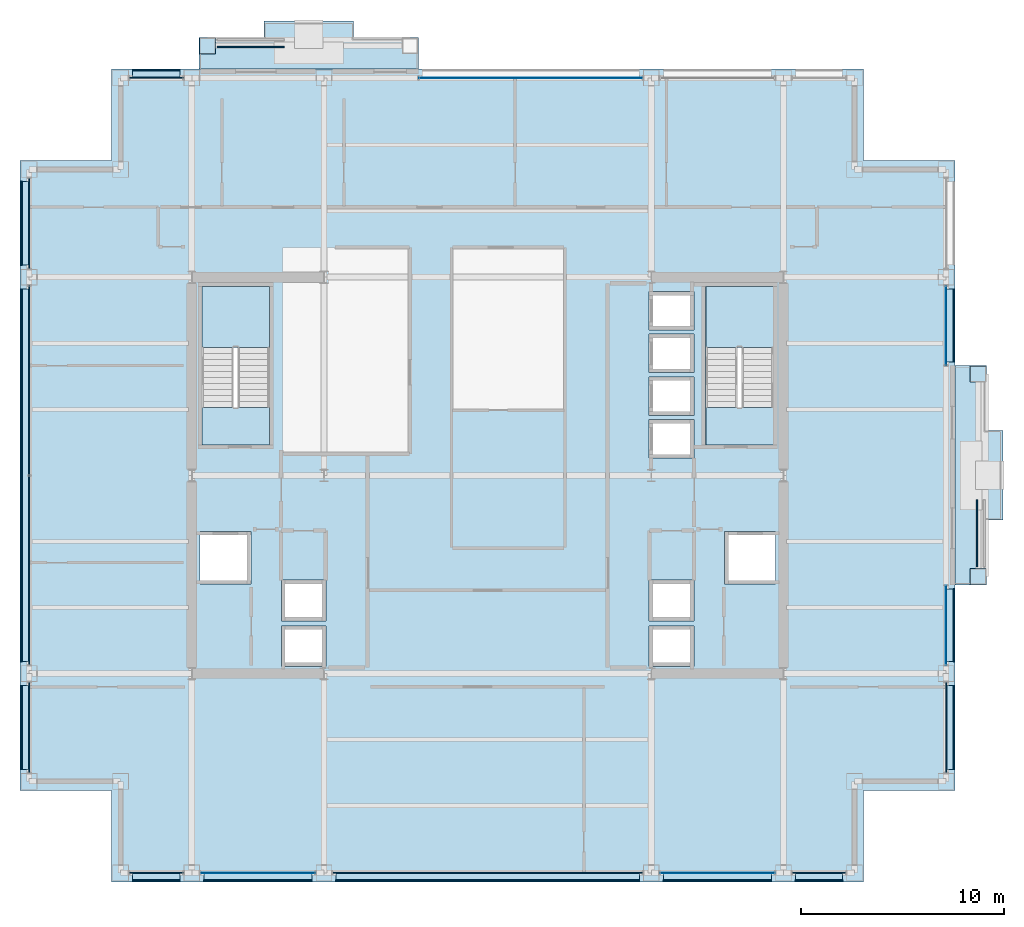
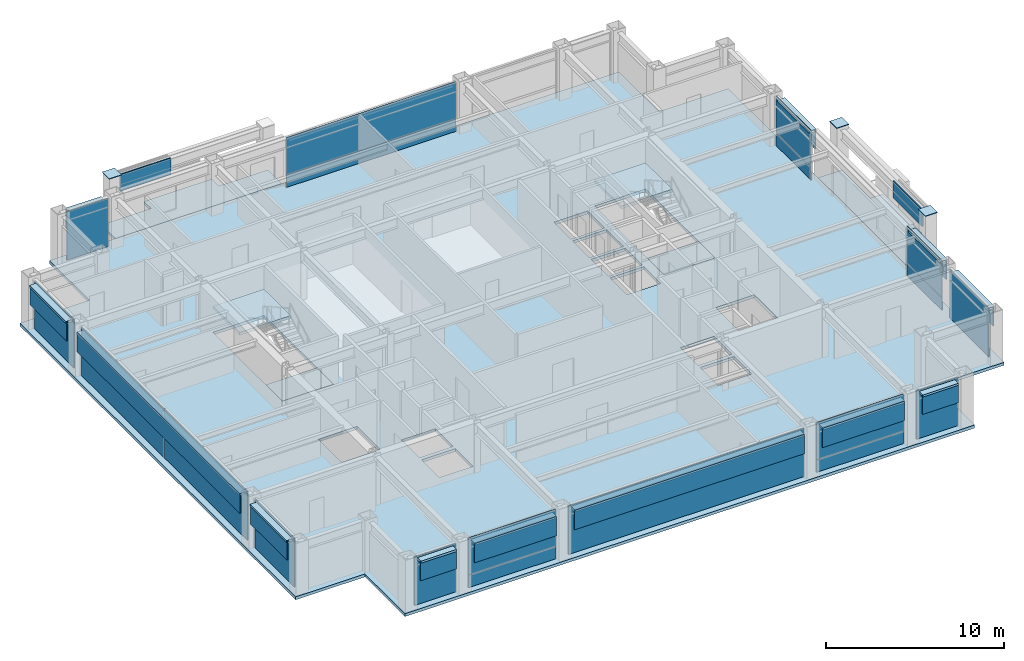
# One storey, part 23 of 29: 48 plates, 7 slabs, 15 elements without a shape of their own.
"""IFC4 building model written with IfcOpenShell, lengths in metres."""

import ifcopenshell
import ifcopenshell.guid

model = None  # the IFC model being written
_history = None  # IfcOwnerHistory: only IFC2X3 demands one
_inside = {}  # id of a spatial element -> (the spatial element, [elements in it])
_under = {}  # id of a project, library or spatial element -> (it, [spatial elements below it])
_declared = {}  # id of a project -> (the project, [libraries it declares])
_typed = {}  # id of a type object -> (the type object, [elements of that type])
_made_of = {}  # id of a material, layer set ... -> (it, [elements and type objects made of it])


def new_model(schema):
    """Start an empty IFC model of exactly this schema.

    Asked for "IFC4X3", IfcOpenShell would pick the latest addendum, in which some entities
    have other attributes; the version numbers below select the first issue.
    IFC2X3 requires an IfcOwnerHistory on every rooted entity: one is made here for all.
    """
    global model, _history
    if schema == "IFC4X3":
        model = ifcopenshell.file(schema_version=(4, 3, 0, 0))
    else:
        model = ifcopenshell.file(schema=schema)
    _inside.clear()
    _under.clear()
    _declared.clear()
    _typed.clear()
    _made_of.clear()
    _history = None
    if model.schema == "IFC2X3":
        org = make("IfcOrganization", Name="unknown")
        user = make(
            "IfcPersonAndOrganization",
            ThePerson=make("IfcPerson", FamilyName="unknown"),
            TheOrganization=org,
        )
        app = make(
            "IfcApplication",
            ApplicationDeveloper=org,
            Version="unknown",
            ApplicationFullName="unknown",
            ApplicationIdentifier="unknown",
        )
        _history = make(
            "IfcOwnerHistory",
            OwningUser=user,
            OwningApplication=app,
            ChangeAction="ADDED",
            CreationDate=0,
        )
    return model


def make(cls, **values):
    """One entity of the class cls with the attributes given. An attribute that is None is left unset."""
    return model.create_entity(
        cls, **{name: value for name, value in values.items() if value is not None}
    )


def rooted(cls, **values):
    """An entity with a GlobalId (a new one), such as an element, a storey or a relation."""
    return make(cls, GlobalId=ifcopenshell.guid.new(), OwnerHistory=_history, **values)


def si_unit(unit_type, name, prefix=None):
    """IfcSIUnit, for example si_unit("LENGTHUNIT", "METRE", prefix="MILLI")."""
    return make("IfcSIUnit", UnitType=unit_type, Prefix=prefix, Name=name)


def assignment(units):
    """IfcUnitAssignment: the units of a project."""
    return None if units is None else make("IfcUnitAssignment", Units=units)


def point(xyz):
    """IfcCartesianPoint."""
    return None if xyz is None else make("IfcCartesianPoint", Coordinates=xyz)


def direction(xyz):
    """IfcDirection."""
    return None if xyz is None else make("IfcDirection", DirectionRatios=xyz)


def frame(location, z_axis=None, x_axis=None):
    """IfcAxis2Placement3D, a coordinate frame: its origin and axes. An axis left out is left unset."""
    return make(
        "IfcAxis2Placement3D",
        Location=point(location),
        Axis=direction(z_axis),
        RefDirection=direction(x_axis),
    )


def frame_2d(location, x_axis=None):
    """IfcAxis2Placement2D, a coordinate frame in the plane: its origin and x axis."""
    return make(
        "IfcAxis2Placement2D", Location=point(location), RefDirection=direction(x_axis)
    )


def origin():
    """The frame at (0, 0, 0) with its axes left unset."""
    return frame((0.0, 0.0, 0.0))


def origin_2d():
    """The frame at (0, 0) in the plane with its x axis left unset."""
    return frame_2d((0.0, 0.0))


def place(relative_to, where):
    """IfcLocalPlacement: puts the frame where relative to a parent placement (None: the world)."""
    return make(
        "IfcLocalPlacement", PlacementRelTo=relative_to, RelativePlacement=where
    )


def context(
    kind, dimensions, precision=None, world=None, true_north=None, identifier=None
):
    """IfcGeometricRepresentationContext, for example the 3D "Model" context."""
    return make(
        "IfcGeometricRepresentationContext",
        ContextIdentifier=identifier,
        ContextType=kind,
        CoordinateSpaceDimension=dimensions,
        Precision=precision,
        WorldCoordinateSystem=world,
        TrueNorth=true_north,
    )


def subcontext(parent, identifier, kind, view, scale=None):
    """IfcGeometricRepresentationSubContext, for example "Body" below "Model"."""
    return make(
        "IfcGeometricRepresentationSubContext",
        ContextIdentifier=identifier,
        ContextType=kind,
        ParentContext=parent,
        TargetScale=scale,
        TargetView=view,
    )


def project(units=None, contexts=None):
    """IfcProject with its units and contexts."""
    return rooted(
        "IfcProject",
        Name="project",
        RepresentationContexts=contexts,
        UnitsInContext=assignment(units),
    )


def spatial(cls, under=None, at=None, **own):
    """A site, building, storey or space (cls), placed at a placement, below another one or the project."""
    s = rooted(cls, ObjectPlacement=at, **own)
    if under is not None:
        _under.setdefault(under.id(), (under, []))[1].append(s)
    return s


def polyline(points):
    """IfcPolyline through the points."""
    return make("IfcPolyline", Points=[point(p) for p in points])


def profile(cls, at=None, kind="AREA", **sizes):
    """A parametric profile (cls). Its sizes go by their IFC names, for example OverallWidth=200.0."""
    return make(cls, ProfileType=kind, Position=at, **sizes)


def rectangle(**sizes):
    """IfcRectangleProfileDef."""
    return profile("IfcRectangleProfileDef", **sizes)


def outline(outer, holes=None, kind="AREA"):
    """IfcArbitraryClosedProfileDef: a profile drawn as a closed curve; with holes, ...WithVoids."""
    if holes is None:
        return make("IfcArbitraryClosedProfileDef", ProfileType=kind, OuterCurve=outer)
    return make(
        "IfcArbitraryProfileDefWithVoids",
        ProfileType=kind,
        OuterCurve=outer,
        InnerCurves=holes,
    )


def extrude(swept, where, along, depth):
    """IfcExtrudedAreaSolid: the profile swept, set in the frame where, extruded along a direction by depth."""
    return make(
        "IfcExtrudedAreaSolid",
        SweptArea=swept,
        Position=where,
        ExtrudedDirection=direction(along),
        Depth=depth,
    )


def shape(context_of_items, identifier, shape_type, items):
    """IfcShapeRepresentation: the items that make up one representation, for example the "Body"."""
    return make(
        "IfcShapeRepresentation",
        ContextOfItems=context_of_items,
        RepresentationIdentifier=identifier,
        RepresentationType=shape_type,
        Items=items,
    )


def material(Name=None, Category=None):
    """IfcMaterial."""
    return make("IfcMaterial", Name=Name, Category=Category)


def layer(
    of_material, thickness, ventilated=None, Name=None, Category=None, Priority=None
):
    """IfcMaterialLayer: one layer of a wall or slab, of a material (None: an air gap)."""
    return make(
        "IfcMaterialLayer",
        Material=of_material,
        LayerThickness=thickness,
        IsVentilated=ventilated,
        Name=Name,
        Category=Category,
        Priority=Priority,
    )


def layer_set(layers, Name=None):
    """IfcMaterialLayerSet."""
    return make("IfcMaterialLayerSet", MaterialLayers=layers, LayerSetName=Name)


def made_of(thing, what):
    """Note that an element or type object is made of a material, layer set ...; save() writes the relation."""
    if what is not None:
        _made_of.setdefault(what.id(), (what, []))[1].append(thing)
    return thing


def type_object(cls, material=None, **own):
    """A type object (cls), such as IfcWallType, which elements share."""
    return made_of(rooted(cls, **own), material)


def element(
    cls,
    number,
    at=None,
    inside=None,
    cuts=None,
    type_object=None,
    material=None,
    context=None,
    identifier="Body",
    shape_type=None,
    held_by="IfcProductDefinitionShape",
    body=None,
    shapes=None,
    **own,
):
    """One element of the class cls, such as IfcWall. Its Tag is "e" and its number.

    at: its placement. inside: the storey or other place that contains it. cuts: it is an
    opening in that element (IfcRelVoidsElement). A single representation is given by context,
    identifier, shape_type and body (its items); several are given by shapes. held_by: the class
    of the entity that holds the representations. save() writes the other relations.
    """
    e = rooted(cls, Tag="e%d" % number, ObjectPlacement=at, **own)
    if body is not None:
        shapes = [shape(context, identifier, shape_type, body)]
    if shapes is not None:
        e.Representation = make(held_by, Representations=shapes)
    if inside is not None:
        _inside.setdefault(inside.id(), (inside, []))[1].append(e)
    if cuts is not None:
        rooted(
            "IfcRelVoidsElement", RelatingBuildingElement=cuts, RelatedOpeningElement=e
        )
    if type_object is not None:
        _typed.setdefault(type_object.id(), (type_object, []))[1].append(e)
    return made_of(e, material)


def aggregate(whole, parts):
    """IfcRelAggregates: a whole, such as a stair, and the parts it consists of."""
    return rooted("IfcRelAggregates", RelatingObject=whole, RelatedObjects=parts)


def save(model, path):
    """Write the relations noted so far, then the file.

    IfcRelAggregates (storeys below a building ...), IfcRelContainedInSpatialStructure (elements
    in a storey), IfcRelDefinesByType, IfcRelAssociatesMaterial and IfcRelDeclares: one each for
    every whole, place, type object, material and project.
    """
    for whole, parts in _under.values():
        aggregate(whole, parts)
    for where, things in _inside.values():
        rooted(
            "IfcRelContainedInSpatialStructure",
            RelatedElements=things,
            RelatingStructure=where,
        )
    for kind, things in _typed.values():
        rooted("IfcRelDefinesByType", RelatedObjects=things, RelatingType=kind)
    for what, things in _made_of.values():
        rooted("IfcRelAssociatesMaterial", RelatedObjects=things, RelatingMaterial=what)
    for by, libraries in _declared.values():
        rooted("IfcRelDeclares", RelatingContext=by, RelatedDefinitions=libraries)
    model.write(path)


model = new_model("IFC4")

# Units and contexts
model_context = context("Model", 3, precision=1e-05, world=origin(), true_north=direction((0.0, 1.0)))
body_context = subcontext(model_context, "Body", "Model", "MODEL_VIEW")
ifc_project = project(units=[si_unit("LENGTHUNIT", "METRE"), si_unit("AREAUNIT", "SQUARE_METRE"), si_unit("VOLUMEUNIT", "CUBIC_METRE"), si_unit("PLANEANGLEUNIT", "RADIAN"), si_unit("MASSUNIT", "GRAM", prefix="KILO")], contexts=[model_context])

# Site, building, storey
site_placement = place(None, origin())
site = spatial("IfcSite", under=ifc_project, at=site_placement, CompositionType="ELEMENT")
building_placement = place(site_placement, origin())
building = spatial("IfcBuilding", under=site, at=building_placement, Name="Brelmoor Portico Tower", CompositionType="ELEMENT")
storey_placement = place(building_placement, frame((0.0, 0.0, 138.60009765625)))
storey = spatial("IfcBuildingStorey", under=building, at=storey_placement, Name="L36", CompositionType="ELEMENT", Elevation=138.60009765625)

# Plates
ifc_material_1 = material(Name="Steel Q355B", Category="steel")
ifc_layer_1 = layer(ifc_material_1, 0.044921875)
ifc_layer_set_1 = layer_set([ifc_layer_1], Name="Steel Q355B")
plate_type_1 = type_object("IfcPlateType", Name="PT-CAP-650", PredefinedType="SHEET", material=ifc_layer_set_1)
for number, where, z_axis, x_axis, name in (
    (1, (-13.780029296875, 21.1298828125, 3.599853515625), (0.0, 0.0, 1.0), (1.0, 0.0, 0.0), "L36 Proud Picture-Frame Pier PFJ-N1 Welded Head Cap Plate"),
    (2, (24.1298828125, -4.97998046875, 3.599853515625), (0.0, 0.0, 1.0), (0.0, 1.0, 0.0), "L36 Proud Picture-Frame Pier PFJ-E1 Welded Head Cap Plate"),
    (3, (24.1298828125, 4.97998046875, 3.599853515625), (0.0, 0.0, 1.0), (0.0, 1.0, 0.0), "L36 Proud Picture-Frame Pier PFJ-E2 Welded Head Cap Plate"),
):
    element("IfcPlate", number, at=place(storey_placement, frame(where, z_axis=z_axis, x_axis=x_axis)), inside=storey, type_object=plate_type_1, Name=name, PredefinedType="SHEET", context=body_context, shape_type="SweptSolid", body=[
        extrude(rectangle(XDim=0.7900390625, YDim=0.7900390625, at=origin_2d()), origin(), (0.0, 0.0, 1.0), 0.0400390625),
    ])

# Curtain wall, plate
ifc_material_2 = material(Name="Anodised Aluminium Alloy 6063-T6", Category="aluminium")
ifc_layer_2 = layer(ifc_material_2, 0.179931640625)
ifc_layer_set_2 = layer_set([ifc_layer_2], Name="Anodised Aluminium Alloy 6063-T6")
curtain_wall_type_1 = type_object("IfcCurtainWallType", Name="CW-TOWER-Z2", PredefinedType="NOTDEFINED", material=ifc_layer_set_2)
curtain_wall_1_placement = place(storey_placement, origin())
curtain_wall_1 = element("IfcCurtainWall", 4, at=curtain_wall_1_placement, inside=storey, type_object=curtain_wall_type_1, Name="L36 Curtain Wall CW-L36-01-2", PredefinedType="NOTDEFINED")
ifc_material_3 = material(Name="Double-Silver Low-E Insulated Glazing", Category="glass")
ifc_layer_3 = layer(ifc_material_3, 0.035888671875)
ifc_layer_set_3 = layer_set([ifc_layer_3], Name="Double-Silver Low-E Insulated Glazing")
plate_type_2 = type_object("IfcPlateType", Name="PT-CW-GLASS", PredefinedType="CURTAIN_PANEL", material=ifc_layer_set_3)
plate_1_placement = place(storey_placement, frame((-11.300048828125, -19.550048828125, 0.85009765625), z_axis=(0.0, 0.0, 1.0), x_axis=(1.0, 0.0, 0.0)))
plate_1 = element("IfcPlate", 5, at=plate_1_placement, type_object=plate_type_2, Name="CW-L36-01-2 Vision Glass Panel 00", PredefinedType="CURTAIN_PANEL", context=body_context, shape_type="SweptSolid", body=[
    extrude(rectangle(XDim=5.64990234375, YDim=0.035888671875, at=origin_2d()), origin(), (0.0, 0.0, 1.0), 2.550048828125),
])

curtain_wall_2_placement = place(storey_placement, origin())
curtain_wall_2 = element("IfcCurtainWall", 6, at=curtain_wall_2_placement, inside=storey, type_object=curtain_wall_type_1, Name="L36 Curtain Wall CW-L36-01-4", PredefinedType="NOTDEFINED")
plate_2_placement = place(storey_placement, frame((11.300048828125, -19.550048828125, 0.85009765625), z_axis=(0.0, 0.0, 1.0), x_axis=(1.0, 0.0, 0.0)))
plate_2 = element("IfcPlate", 7, at=plate_2_placement, type_object=plate_type_2, Name="CW-L36-01-4 Vision Glass Panel 00", PredefinedType="CURTAIN_PANEL", context=body_context, shape_type="SweptSolid", body=[
    extrude(rectangle(XDim=5.64990234375, YDim=0.035888671875, at=origin_2d()), origin(), (0.0, 0.0, 1.0), 2.550048828125),
])

curtain_wall_3_placement = place(storey_placement, origin())
curtain_wall_3 = element("IfcCurtainWall", 8, at=curtain_wall_3_placement, inside=storey, type_object=curtain_wall_type_1, Name="L36 Curtain Wall CW-L36-2R-1", PredefinedType="NOTDEFINED")
plate_3_placement = place(storey_placement, frame((2.1201171875, 19.550048828125, 0.85009765625), z_axis=(0.0, 0.0, 1.0), x_axis=(1.0, 0.0, 0.0)))
plate_3 = element("IfcPlate", 9, at=plate_3_placement, type_object=plate_type_2, Name="CW-L36-2R-1 Vision Glass Panel 00", PredefinedType="CURTAIN_PANEL", context=body_context, shape_type="SweptSolid", body=[
    extrude(rectangle(XDim=11.010009765625, YDim=0.035888671875, at=origin_2d()), origin(), (0.0, 0.0, 1.0), 2.550048828125),
])

curtain_wall_4_placement = place(storey_placement, origin())
curtain_wall_4 = element("IfcCurtainWall", 10, at=curtain_wall_4_placement, inside=storey, type_object=curtain_wall_type_1, Name="L36 Curtain Wall CW-L36-4L-2", PredefinedType="NOTDEFINED")
plate_4_placement = place(storey_placement, frame((22.550048828125, -7.3701171875, 0.85009765625), z_axis=(0.0, 0.0, 1.0), x_axis=(0.0, 1.0, 0.0)))
plate_4 = element("IfcPlate", 11, at=plate_4_placement, type_object=plate_type_2, Name="CW-L36-4L-2 Vision Glass Panel 00", PredefinedType="CURTAIN_PANEL", context=body_context, shape_type="SweptSolid", body=[
    extrude(rectangle(XDim=3.909912109375, YDim=0.035888671875, at=origin_2d()), origin(), (0.0, 0.0, 1.0), 2.550048828125),
])

curtain_wall_5_placement = place(storey_placement, origin())
curtain_wall_5 = element("IfcCurtainWall", 12, at=curtain_wall_5_placement, inside=storey, type_object=curtain_wall_type_1, Name="L36 Curtain Wall CW-L36-4R-1", PredefinedType="NOTDEFINED")
plate_5_placement = place(storey_placement, frame((22.550048828125, 7.3701171875, 0.85009765625), z_axis=(0.0, 0.0, 1.0), x_axis=(0.0, 1.0, 0.0)))
plate_5 = element("IfcPlate", 13, at=plate_5_placement, type_object=plate_type_2, Name="CW-L36-4R-1 Vision Glass Panel 00", PredefinedType="CURTAIN_PANEL", context=body_context, shape_type="SweptSolid", body=[
    extrude(rectangle(XDim=3.909912109375, YDim=0.035888671875, at=origin_2d()), origin(), (0.0, 0.0, 1.0), 2.550048828125),
])

ifc_layer_4 = layer(ifc_material_2, 0.179931640625)
ifc_layer_set_4 = layer_set([ifc_layer_4], Name="Anodised Aluminium Alloy 6063-T6")
curtain_wall_type_2 = type_object("IfcCurtainWallType", Name="CW-TOWER-Z2-XB", PredefinedType="NOTDEFINED", material=ifc_layer_set_4)
curtain_wall_6_placement = place(storey_placement, origin())
curtain_wall_6 = element("IfcCurtainWall", 14, at=curtain_wall_6_placement, inside=storey, type_object=curtain_wall_type_2, Name="L36 Curtain Wall CW-L36-01-1", PredefinedType="NOTDEFINED")
ifc_material_4 = material(Name="Pale Champagne Anodised Aluminium Panel", Category="aluminium")
ifc_layer_5 = layer(ifc_material_4, 0.050048828125)
ifc_layer_set_5 = layer_set([ifc_layer_5], Name="Pale Champagne Anodised Aluminium Panel")
plate_type_3 = type_object("IfcPlateType", Name="PT-CW-SPANDREL", PredefinedType="SHEET", material=ifc_layer_set_5)
plate_6_placement = place(storey_placement, frame((-16.300048828125, -19.550048828125, -0.000244140625), z_axis=(0.0, 0.0, 1.0), x_axis=(1.0, 0.0, 0.0)))
plate_6 = element("IfcPlate", 15, at=plate_6_placement, type_object=plate_type_3, Name="CW-L36-01-1 Spandrel Panel 00", PredefinedType="SHEET", context=body_context, shape_type="SweptSolid", body=[
    extrude(rectangle(XDim=2.64990234375, YDim=0.050048828125, at=origin_2d()), origin(), (0.0, 0.0, 1.0), 3.330078125),
])
aggregate(curtain_wall_6, [plate_6])

# Plate
plate_7_placement = place(storey_placement, frame((-11.300048828125, -19.550048828125, -0.000244140625), z_axis=(0.0, 0.0, 1.0), x_axis=(1.0, 0.0, 0.0)))
plate_7 = element("IfcPlate", 16, at=plate_7_placement, type_object=plate_type_3, Name="CW-L36-01-2 Spandrel Panel 00", PredefinedType="SHEET", context=body_context, shape_type="SweptSolid", body=[
    extrude(rectangle(XDim=5.64990234375, YDim=0.050048828125, at=origin_2d()), origin(), (0.0, 0.0, 1.0), 0.85009765625),
])

aggregate(curtain_wall_1, [plate_7, plate_1])

# Curtain wall, plate
curtain_wall_7_placement = place(storey_placement, origin())
curtain_wall_7 = element("IfcCurtainWall", 17, at=curtain_wall_7_placement, inside=storey, type_object=curtain_wall_type_2, Name="L36 Curtain Wall CW-L36-01-3", PredefinedType="NOTDEFINED")
plate_8_placement = place(storey_placement, frame((0.0, -19.550048828125, -0.000244140625), z_axis=(0.0, 0.0, 1.0), x_axis=(1.0, 0.0, 0.0)))
plate_8 = element("IfcPlate", 18, at=plate_8_placement, type_object=plate_type_3, Name="CW-L36-01-3 Spandrel Panel 00", PredefinedType="SHEET", context=body_context, shape_type="SweptSolid", body=[
    extrude(rectangle(XDim=15.25, YDim=0.050048828125, at=origin_2d()), origin(), (0.0, 0.0, 1.0), 3.330078125),
])
aggregate(curtain_wall_7, [plate_8])

# Plate
plate_9_placement = place(storey_placement, frame((11.300048828125, -19.550048828125, -0.000244140625), z_axis=(0.0, 0.0, 1.0), x_axis=(1.0, 0.0, 0.0)))
plate_9 = element("IfcPlate", 19, at=plate_9_placement, type_object=plate_type_3, Name="CW-L36-01-4 Spandrel Panel 00", PredefinedType="SHEET", context=body_context, shape_type="SweptSolid", body=[
    extrude(rectangle(XDim=5.64990234375, YDim=0.050048828125, at=origin_2d()), origin(), (0.0, 0.0, 1.0), 0.85009765625),
])

aggregate(curtain_wall_2, [plate_9, plate_2])

# Curtain wall, plate
curtain_wall_8_placement = place(storey_placement, origin())
curtain_wall_8 = element("IfcCurtainWall", 20, at=curtain_wall_8_placement, inside=storey, type_object=curtain_wall_type_2, Name="L36 Curtain Wall CW-L36-01-5", PredefinedType="NOTDEFINED")
plate_10_placement = place(storey_placement, frame((16.300048828125, -19.550048828125, -0.000244140625), z_axis=(0.0, 0.0, 1.0), x_axis=(1.0, 0.0, 0.0)))
plate_10 = element("IfcPlate", 21, at=plate_10_placement, type_object=plate_type_3, Name="CW-L36-01-5 Spandrel Panel 00", PredefinedType="SHEET", context=body_context, shape_type="SweptSolid", body=[
    extrude(rectangle(XDim=2.64990234375, YDim=0.050048828125, at=origin_2d()), origin(), (0.0, 0.0, 1.0), 3.330078125),
])
aggregate(curtain_wall_8, [plate_10])

curtain_wall_9_placement = place(storey_placement, origin())
curtain_wall_9 = element("IfcCurtainWall", 22, at=curtain_wall_9_placement, inside=storey, type_object=curtain_wall_type_2, Name="L36 Curtain Wall CW-L36-2L", PredefinedType="NOTDEFINED")
plate_11_placement = place(storey_placement, frame((-16.300048828125, 19.550048828125, -0.000244140625), z_axis=(0.0, 0.0, 1.0), x_axis=(1.0, 0.0, 0.0)))
plate_11 = element("IfcPlate", 23, at=plate_11_placement, type_object=plate_type_3, Name="CW-L36-2L Spandrel Panel 00", PredefinedType="SHEET", context=body_context, shape_type="SweptSolid", body=[
    extrude(rectangle(XDim=2.64990234375, YDim=0.050048828125, at=origin_2d()), origin(), (0.0, 0.0, 1.0), 3.330078125),
])
aggregate(curtain_wall_9, [plate_11])

# Plate
plate_12_placement = place(storey_placement, frame((2.1201171875, 19.550048828125, -0.000244140625), z_axis=(0.0, 0.0, 1.0), x_axis=(1.0, 0.0, 0.0)))
plate_12 = element("IfcPlate", 24, at=plate_12_placement, type_object=plate_type_3, Name="CW-L36-2R-1 Spandrel Panel 00", PredefinedType="SHEET", context=body_context, shape_type="SweptSolid", body=[
    extrude(rectangle(XDim=11.010009765625, YDim=0.050048828125, at=origin_2d()), origin(), (0.0, 0.0, 1.0), 0.85009765625),
])

aggregate(curtain_wall_3, [plate_12, plate_3])

# Curtain wall, plate
curtain_wall_10_placement = place(storey_placement, origin())
curtain_wall_10 = element("IfcCurtainWall", 25, at=curtain_wall_10_placement, inside=storey, type_object=curtain_wall_type_2, Name="L36 Curtain Wall CW-L36-03-1", PredefinedType="NOTDEFINED")
plate_13_placement = place(storey_placement, frame((-22.550048828125, -12.39990234375, -0.000244140625), z_axis=(0.0, 0.0, 1.0), x_axis=(0.0, 1.0, 0.0)))
plate_13 = element("IfcPlate", 26, at=plate_13_placement, type_object=plate_type_3, Name="CW-L36-03-1 Spandrel Panel 00", PredefinedType="SHEET", context=body_context, shape_type="SweptSolid", body=[
    extrude(rectangle(XDim=4.449951171875, YDim=0.050048828125, at=origin_2d()), origin(), (0.0, 0.0, 1.0), 3.330078125),
])
aggregate(curtain_wall_10, [plate_13])

# Curtain wall, plates
curtain_wall_11_placement = place(storey_placement, origin())
curtain_wall_11 = element("IfcCurtainWall", 27, at=curtain_wall_11_placement, inside=storey, type_object=curtain_wall_type_2, Name="L36 Curtain Wall CW-L36-03-2", PredefinedType="NOTDEFINED")
plate_14_placement = place(storey_placement, frame((-22.550048828125, -4.669921875, -0.000244140625), z_axis=(0.0, 0.0, 1.0), x_axis=(0.0, 1.0, 0.0)))
plate_14 = element("IfcPlate", 28, at=plate_14_placement, type_object=plate_type_3, Name="CW-L36-03-2 Spandrel Panel 00", PredefinedType="SHEET", context=body_context, shape_type="SweptSolid", body=[
    extrude(rectangle(XDim=9.31005859375, YDim=0.050048828125, at=origin_2d()), origin(), (0.0, 0.0, 1.0), 3.330078125),
])
plate_15_placement = place(storey_placement, frame((-22.550048828125, 4.669921875, -0.000244140625), z_axis=(0.0, 0.0, 1.0), x_axis=(0.0, 1.0, 0.0)))
plate_15 = element("IfcPlate", 29, at=plate_15_placement, type_object=plate_type_3, Name="CW-L36-03-2 Spandrel Panel 01", PredefinedType="SHEET", context=body_context, shape_type="SweptSolid", body=[
    extrude(rectangle(XDim=9.31005859375, YDim=0.050048828125, at=origin_2d()), origin(), (0.0, 0.0, 1.0), 3.330078125),
])
aggregate(curtain_wall_11, [plate_14, plate_15])

# Curtain wall, plate
curtain_wall_12_placement = place(storey_placement, origin())
curtain_wall_12 = element("IfcCurtainWall", 30, at=curtain_wall_12_placement, inside=storey, type_object=curtain_wall_type_2, Name="L36 Curtain Wall CW-L36-03-3", PredefinedType="NOTDEFINED")
plate_16_placement = place(storey_placement, frame((-22.550048828125, 12.39990234375, -0.000244140625), z_axis=(0.0, 0.0, 1.0), x_axis=(0.0, 1.0, 0.0)))
plate_16 = element("IfcPlate", 31, at=plate_16_placement, type_object=plate_type_3, Name="CW-L36-03-3 Spandrel Panel 00", PredefinedType="SHEET", context=body_context, shape_type="SweptSolid", body=[
    extrude(rectangle(XDim=4.449951171875, YDim=0.050048828125, at=origin_2d()), origin(), (0.0, 0.0, 1.0), 3.330078125),
])
aggregate(curtain_wall_12, [plate_16])

curtain_wall_13_placement = place(storey_placement, origin())
curtain_wall_13 = element("IfcCurtainWall", 32, at=curtain_wall_13_placement, inside=storey, type_object=curtain_wall_type_2, Name="L36 Curtain Wall CW-L36-4L-1", PredefinedType="NOTDEFINED")
plate_17_placement = place(storey_placement, frame((22.550048828125, -12.39990234375, -0.000244140625), z_axis=(0.0, 0.0, 1.0), x_axis=(0.0, 1.0, 0.0)))
plate_17 = element("IfcPlate", 33, at=plate_17_placement, type_object=plate_type_3, Name="CW-L36-4L-1 Spandrel Panel 00", PredefinedType="SHEET", context=body_context, shape_type="SweptSolid", body=[
    extrude(rectangle(XDim=4.449951171875, YDim=0.050048828125, at=origin_2d()), origin(), (0.0, 0.0, 1.0), 3.330078125),
])
aggregate(curtain_wall_13, [plate_17])

# Plate
plate_18_placement = place(storey_placement, frame((22.550048828125, -7.3701171875, -0.000244140625), z_axis=(0.0, 0.0, 1.0), x_axis=(0.0, 1.0, 0.0)))
plate_18 = element("IfcPlate", 34, at=plate_18_placement, type_object=plate_type_3, Name="CW-L36-4L-2 Spandrel Panel 00", PredefinedType="SHEET", context=body_context, shape_type="SweptSolid", body=[
    extrude(rectangle(XDim=3.909912109375, YDim=0.050048828125, at=origin_2d()), origin(), (0.0, 0.0, 1.0), 0.85009765625),
])

aggregate(curtain_wall_4, [plate_18, plate_4])

plate_19_placement = place(storey_placement, frame((22.550048828125, 7.3701171875, -0.000244140625), z_axis=(0.0, 0.0, 1.0), x_axis=(0.0, 1.0, 0.0)))
plate_19 = element("IfcPlate", 35, at=plate_19_placement, type_object=plate_type_3, Name="CW-L36-4R-1 Spandrel Panel 00", PredefinedType="SHEET", context=body_context, shape_type="SweptSolid", body=[
    extrude(rectangle(XDim=3.909912109375, YDim=0.050048828125, at=origin_2d()), origin(), (0.0, 0.0, 1.0), 0.85009765625),
])

aggregate(curtain_wall_5, [plate_19, plate_5])

# Plates
ifc_material_5 = material(Name="Powder-Coated Aluminium Shuttered Jalousie Louvre", Category="aluminium")
ifc_layer_6 = layer(ifc_material_5, 0.06005859375)
ifc_layer_set_6 = layer_set([ifc_layer_6], Name="Powder-Coated Aluminium Shuttered Jalousie Louvre")
plate_type_4 = type_object("IfcPlateType", Name="PT-JALOUSIE-SHUTTER", PredefinedType="SHEET", material=ifc_layer_set_6)
plate_20_placement = place(storey_placement, frame((-16.300048828125, -19.929931640625, 1.8740234375), z_axis=(0.0, 0.0, 1.0), x_axis=(1.0, 0.0, 0.0)))
element("IfcPlate", 36, at=plate_20_placement, inside=storey, type_object=plate_type_4, Name="CW-L36-01-1 Perforated Jalousie Solar Screen", PredefinedType="SHEET", context=body_context, shape_type="SweptSolid", body=[
    extrude(rectangle(XDim=2.320068359375, YDim=0.06494140625, at=origin_2d()), origin(), (0.0, 0.0, 1.0), 1.325927734375),
])
plate_21_placement = place(storey_placement, frame((-11.300048828125, -19.929931640625, 1.8740234375), z_axis=(0.0, 0.0, 1.0), x_axis=(1.0, 0.0, 0.0)))
element("IfcPlate", 37, at=plate_21_placement, inside=storey, type_object=plate_type_4, Name="CW-L36-01-2 Perforated Jalousie Solar Screen", PredefinedType="SHEET", context=body_context, shape_type="SweptSolid", body=[
    extrude(rectangle(XDim=5.320068359375, YDim=0.06494140625, at=origin_2d()), origin(), (0.0, 0.0, 1.0), 1.325927734375),
])
plate_22_placement = place(storey_placement, frame((0.0, -19.929931640625, 1.8740234375), z_axis=(0.0, 0.0, 1.0), x_axis=(1.0, 0.0, 0.0)))
element("IfcPlate", 38, at=plate_22_placement, inside=storey, type_object=plate_type_4, Name="CW-L36-01-3 Perforated Jalousie Solar Screen", PredefinedType="SHEET", context=body_context, shape_type="SweptSolid", body=[
    extrude(rectangle(XDim=14.919921875, YDim=0.06494140625, at=origin_2d()), origin(), (0.0, 0.0, 1.0), 1.325927734375),
])
plate_23_placement = place(storey_placement, frame((11.300048828125, -19.929931640625, 1.8740234375), z_axis=(0.0, 0.0, 1.0), x_axis=(1.0, 0.0, 0.0)))
element("IfcPlate", 39, at=plate_23_placement, inside=storey, type_object=plate_type_4, Name="CW-L36-01-4 Perforated Jalousie Solar Screen", PredefinedType="SHEET", context=body_context, shape_type="SweptSolid", body=[
    extrude(rectangle(XDim=5.320068359375, YDim=0.06494140625, at=origin_2d()), origin(), (0.0, 0.0, 1.0), 1.325927734375),
])
for number, where, z_axis, x_axis, name in (
    (40, (16.300048828125, -19.929931640625, 1.8740234375), (0.0, 0.0, 1.0), (1.0, 0.0, 0.0), "CW-L36-01-5 Perforated Jalousie Solar Screen"),
    (41, (-16.300048828125, 19.929931640625, 1.8740234375), (0.0, 0.0, 1.0), (1.0, 0.0, 0.0), "CW-L36-2L Perforated Jalousie Solar Screen"),
):
    element("IfcPlate", number, at=place(storey_placement, frame(where, z_axis=z_axis, x_axis=x_axis)), inside=storey, type_object=plate_type_4, Name=name, PredefinedType="SHEET", context=body_context, shape_type="SweptSolid", body=[
        extrude(rectangle(XDim=2.320068359375, YDim=0.06494140625, at=origin_2d()), origin(), (0.0, 0.0, 1.0), 1.325927734375),
    ])
plate_24_placement = place(storey_placement, frame((-11.64990234375, 21.080078125, 2.27490234375), z_axis=(0.0, 0.0, 1.0), x_axis=(1.0, 0.0, 0.0)))
element("IfcPlate", 42, at=plate_24_placement, inside=storey, type_object=plate_type_4, Name="L36 Shuttered Veranda Screen N", PredefinedType="SHEET", context=body_context, shape_type="SweptSolid", body=[
    extrude(rectangle(XDim=3.300048828125, YDim=0.080078125, at=origin_2d()), origin(), (0.0, 0.0, 1.0), 1.14990234375),
])
plate_25_placement = place(storey_placement, frame((-22.929931640625, -12.39990234375, 1.8740234375), z_axis=(0.0, 0.0, 1.0), x_axis=(0.0, 1.0, 0.0)))
element("IfcPlate", 43, at=plate_25_placement, inside=storey, type_object=plate_type_4, Name="CW-L36-03-1 Perforated Jalousie Solar Screen", PredefinedType="SHEET", context=body_context, shape_type="SweptSolid", body=[
    extrude(rectangle(XDim=4.1201171875, YDim=0.06494140625, at=origin_2d()), origin(), (0.0, 0.0, 1.0), 1.325927734375),
])
plate_26_placement = place(storey_placement, frame((-22.929931640625, 0.0, 1.8740234375), z_axis=(0.0, 0.0, 1.0), x_axis=(0.0, 1.0, 0.0)))
element("IfcPlate", 44, at=plate_26_placement, inside=storey, type_object=plate_type_4, Name="CW-L36-03-2 Perforated Jalousie Solar Screen", PredefinedType="SHEET", context=body_context, shape_type="SweptSolid", body=[
    extrude(rectangle(XDim=18.320068359375, YDim=0.06494140625, at=origin_2d()), origin(), (0.0, 0.0, 1.0), 1.325927734375),
])
for number, where, z_axis, x_axis, name in (
    (45, (-22.929931640625, 12.39990234375, 1.8740234375), (0.0, 0.0, 1.0), (0.0, 1.0, 0.0), "CW-L36-03-3 Perforated Jalousie Solar Screen"),
    (46, (22.929931640625, -12.39990234375, 1.8740234375), (0.0, 0.0, 1.0), (0.0, 1.0, 0.0), "CW-L36-4L-1 Perforated Jalousie Solar Screen"),
):
    element("IfcPlate", number, at=place(storey_placement, frame(where, z_axis=z_axis, x_axis=x_axis)), inside=storey, type_object=plate_type_4, Name=name, PredefinedType="SHEET", context=body_context, shape_type="SweptSolid", body=[
        extrude(rectangle(XDim=4.1201171875, YDim=0.06494140625, at=origin_2d()), origin(), (0.0, 0.0, 1.0), 1.325927734375),
    ])
for number, where, z_axis, x_axis, name in (
    (47, (22.929931640625, -7.3701171875, 1.8740234375), (0.0, 0.0, 1.0), (0.0, 1.0, 0.0), "CW-L36-4L-2 Perforated Jalousie Solar Screen"),
    (48, (22.929931640625, 7.3701171875, 1.8740234375), (0.0, 0.0, 1.0), (0.0, 1.0, 0.0), "CW-L36-4R-1 Perforated Jalousie Solar Screen"),
):
    element("IfcPlate", number, at=place(storey_placement, frame(where, z_axis=z_axis, x_axis=x_axis)), inside=storey, type_object=plate_type_4, Name=name, PredefinedType="SHEET", context=body_context, shape_type="SweptSolid", body=[
        extrude(rectangle(XDim=3.580078125, YDim=0.06494140625, at=origin_2d()), origin(), (0.0, 0.0, 1.0), 1.325927734375),
    ])
plate_27_placement = place(storey_placement, frame((24.080078125, -2.85009765625, 2.27490234375), z_axis=(0.0, 0.0, 1.0), x_axis=(0.0, 1.0, 0.0)))
element("IfcPlate", 49, at=plate_27_placement, inside=storey, type_object=plate_type_4, Name="L36 Shuttered Veranda Screen E", PredefinedType="SHEET", context=body_context, shape_type="SweptSolid", body=[
    extrude(rectangle(XDim=3.300048828125, YDim=0.080078125, at=origin_2d()), origin(), (0.0, 0.0, 1.0), 1.14990234375),
])
ifc_material_6 = material(Name="Pale Champagne Perforated Aluminium Solar Screen", Category="aluminium")
ifc_layer_7 = layer(ifc_material_6, 0.054931640625)
ifc_layer_set_7 = layer_set([ifc_layer_7], Name="Pale Champagne Perforated Aluminium Solar Screen")
plate_type_5 = type_object("IfcPlateType", Name="PT-SOLAR-LOUVRE", PredefinedType="SHEET", material=ifc_layer_set_7)
plate_28_placement = place(storey_placement, frame((-16.300048828125, -19.760009765625, 3.08984375), z_axis=(0.0, 0.0, 1.0), x_axis=(1.0, 0.0, 0.0)))
element("IfcPlate", 50, at=plate_28_placement, inside=storey, type_object=plate_type_5, Name="CW-L36-01-1 Caribbean Brise-Soleil Solar Screen", PredefinedType="SHEET", context=body_context, shape_type="SweptSolid", body=[
    extrude(rectangle(XDim=2.320068359375, YDim=0.4599609375, at=origin_2d()), origin(), (0.0, 0.0, 1.0), 0.139892578125),
])
plate_29_placement = place(storey_placement, frame((-11.300048828125, -19.760009765625, 3.08984375), z_axis=(0.0, 0.0, 1.0), x_axis=(1.0, 0.0, 0.0)))
element("IfcPlate", 51, at=plate_29_placement, inside=storey, type_object=plate_type_5, Name="CW-L36-01-2 Caribbean Brise-Soleil Solar Screen", PredefinedType="SHEET", context=body_context, shape_type="SweptSolid", body=[
    extrude(rectangle(XDim=5.320068359375, YDim=0.4599609375, at=origin_2d()), origin(), (0.0, 0.0, 1.0), 0.139892578125),
])
plate_30_placement = place(storey_placement, frame((0.0, -19.760009765625, 3.08984375), z_axis=(0.0, 0.0, 1.0), x_axis=(1.0, 0.0, 0.0)))
element("IfcPlate", 52, at=plate_30_placement, inside=storey, type_object=plate_type_5, Name="CW-L36-01-3 Caribbean Brise-Soleil Solar Screen", PredefinedType="SHEET", context=body_context, shape_type="SweptSolid", body=[
    extrude(rectangle(XDim=14.919921875, YDim=0.4599609375, at=origin_2d()), origin(), (0.0, 0.0, 1.0), 0.139892578125),
])
plate_31_placement = place(storey_placement, frame((11.300048828125, -19.760009765625, 3.08984375), z_axis=(0.0, 0.0, 1.0), x_axis=(1.0, 0.0, 0.0)))
element("IfcPlate", 53, at=plate_31_placement, inside=storey, type_object=plate_type_5, Name="CW-L36-01-4 Caribbean Brise-Soleil Solar Screen", PredefinedType="SHEET", context=body_context, shape_type="SweptSolid", body=[
    extrude(rectangle(XDim=5.320068359375, YDim=0.4599609375, at=origin_2d()), origin(), (0.0, 0.0, 1.0), 0.139892578125),
])
for number, where, z_axis, x_axis, name in (
    (54, (16.300048828125, -19.760009765625, 3.08984375), (0.0, 0.0, 1.0), (1.0, 0.0, 0.0), "CW-L36-01-5 Caribbean Brise-Soleil Solar Screen"),
    (55, (-16.300048828125, 19.760009765625, 3.08984375), (0.0, 0.0, 1.0), (1.0, 0.0, 0.0), "CW-L36-2L Caribbean Brise-Soleil Solar Screen"),
):
    element("IfcPlate", number, at=place(storey_placement, frame(where, z_axis=z_axis, x_axis=x_axis)), inside=storey, type_object=plate_type_5, Name=name, PredefinedType="SHEET", context=body_context, shape_type="SweptSolid", body=[
        extrude(rectangle(XDim=2.320068359375, YDim=0.4599609375, at=origin_2d()), origin(), (0.0, 0.0, 1.0), 0.139892578125),
    ])
plate_32_placement = place(storey_placement, frame((-22.760009765625, -12.39990234375, 3.08984375), z_axis=(0.0, 0.0, 1.0), x_axis=(0.0, 1.0, 0.0)))
element("IfcPlate", 56, at=plate_32_placement, inside=storey, type_object=plate_type_5, Name="CW-L36-03-1 Caribbean Brise-Soleil Solar Screen", PredefinedType="SHEET", context=body_context, shape_type="SweptSolid", body=[
    extrude(rectangle(XDim=4.1201171875, YDim=0.4599609375, at=origin_2d()), origin(), (0.0, 0.0, 1.0), 0.139892578125),
])
plate_33_placement = place(storey_placement, frame((-22.760009765625, 0.0, 3.08984375), z_axis=(0.0, 0.0, 1.0), x_axis=(0.0, 1.0, 0.0)))
element("IfcPlate", 57, at=plate_33_placement, inside=storey, type_object=plate_type_5, Name="CW-L36-03-2 Caribbean Brise-Soleil Solar Screen", PredefinedType="SHEET", context=body_context, shape_type="SweptSolid", body=[
    extrude(rectangle(XDim=18.320068359375, YDim=0.4599609375, at=origin_2d()), origin(), (0.0, 0.0, 1.0), 0.139892578125),
])
for number, where, z_axis, x_axis, name in (
    (58, (-22.760009765625, 12.39990234375, 3.08984375), (0.0, 0.0, 1.0), (0.0, 1.0, 0.0), "CW-L36-03-3 Caribbean Brise-Soleil Solar Screen"),
    (59, (22.760009765625, -12.39990234375, 3.08984375), (0.0, 0.0, 1.0), (0.0, 1.0, 0.0), "CW-L36-4L-1 Caribbean Brise-Soleil Solar Screen"),
):
    element("IfcPlate", number, at=place(storey_placement, frame(where, z_axis=z_axis, x_axis=x_axis)), inside=storey, type_object=plate_type_5, Name=name, PredefinedType="SHEET", context=body_context, shape_type="SweptSolid", body=[
        extrude(rectangle(XDim=4.1201171875, YDim=0.4599609375, at=origin_2d()), origin(), (0.0, 0.0, 1.0), 0.139892578125),
    ])
for number, where, z_axis, x_axis, name in (
    (60, (22.760009765625, -7.3701171875, 3.08984375), (0.0, 0.0, 1.0), (0.0, 1.0, 0.0), "CW-L36-4L-2 Caribbean Brise-Soleil Solar Screen"),
    (61, (22.760009765625, 7.3701171875, 3.08984375), (0.0, 0.0, 1.0), (0.0, 1.0, 0.0), "CW-L36-4R-1 Caribbean Brise-Soleil Solar Screen"),
):
    element("IfcPlate", number, at=place(storey_placement, frame(where, z_axis=z_axis, x_axis=x_axis)), inside=storey, type_object=plate_type_5, Name=name, PredefinedType="SHEET", context=body_context, shape_type="SweptSolid", body=[
        extrude(rectangle(XDim=3.580078125, YDim=0.4599609375, at=origin_2d()), origin(), (0.0, 0.0, 1.0), 0.139892578125),
    ])

# Slabs
ifc_material_7 = material(Name="Concrete C40", Category="concrete")
ifc_layer_8 = layer(ifc_material_7, 0.199951171875)
ifc_layer_set_8 = layer_set([ifc_layer_8], Name="Concrete C40")
slab_type_1 = type_object("IfcSlabType", Name="SL-BALCONY-200", PredefinedType="FLOOR", material=ifc_layer_set_8)
slab_1_placement = place(storey_placement, frame((0.0, 0.0, -0.2001953125)))
element("IfcSlab", 62, at=slab_1_placement, inside=storey, type_object=slab_type_1, Name="L36 Loggia Tree Balcony Slab N", PredefinedType="FLOOR", context=body_context, shape_type="SweptSolid", body=[
    extrude(outline(polyline([(-14.199951171875, 20.0), (-3.39990234375, 20.0), (-3.39990234375, 21.550048828125), (-6.60009765625, 21.550048828125), (-6.60009765625, 22.35009765625), (-11.0, 22.35009765625), (-11.0, 21.550048828125), (-14.199951171875, 21.550048828125), (-14.199951171875, 20.0)])), origin(), (0.0, 0.0, 1.0), 0.2001953125),
])
slab_2_placement = place(storey_placement, frame((0.0, 0.0, -0.2001953125)))
element("IfcSlab", 63, at=slab_2_placement, inside=storey, type_object=slab_type_1, Name="L36 Loggia Tree Balcony Slab E", PredefinedType="FLOOR", context=body_context, shape_type="SweptSolid", body=[
    extrude(outline(polyline([(23.0, -5.39990234375), (24.550048828125, -5.39990234375), (24.550048828125, -2.199951171875), (25.35009765625, -2.199951171875), (25.35009765625, 2.199951171875), (24.550048828125, 2.199951171875), (24.550048828125, 5.39990234375), (23.0, 5.39990234375), (23.0, -5.39990234375)])), origin(), (0.0, 0.0, 1.0), 0.2001953125),
])
ifc_layer_9 = layer(ifc_material_7, 0.199951171875)
ifc_layer_set_9 = layer_set([ifc_layer_9], Name="Concrete C40")
slab_type_2 = type_object("IfcSlabType", Name="SL-FLOOR-200", PredefinedType="FLOOR", material=ifc_layer_set_9)
slab_3_placement = place(storey_placement, frame((0.0, 0.0, -0.2001953125)))
element("IfcSlab", 64, at=slab_3_placement, inside=storey, type_object=slab_type_2, Name="L36 Main Structural Floor Slab", PredefinedType="FLOOR", context=body_context, shape_type="SweptSolid", body=[
    extrude(outline(polyline([(-18.5, -20.0), (18.5, -20.0), (18.5, -15.5), (23.0, -15.5), (23.0, 15.5), (18.5, 15.5), (18.5, 20.0), (-18.5, 20.0), (-18.5, 15.5), (-23.0, 15.5), (-23.0, -15.5), (-18.5, -15.5), (-18.5, -20.0)]), holes=[polyline([(-10.72998046875, 1.5), (-10.72998046875, 9.300048828125), (-14.050048828125, 9.300048828125), (-14.050048828125, 1.5), (-10.72998046875, 1.5)]), polyline([(14.050048828125, 1.5), (14.050048828125, 9.300048828125), (10.72998046875, 9.300048828125), (10.72998046875, 1.5), (14.050048828125, 1.5)]), polyline([(7.949951171875, 0.85009765625), (10.14990234375, 0.85009765625), (10.14990234375, 2.75), (7.949951171875, 2.75), (7.949951171875, 0.85009765625)]), polyline([(7.949951171875, 2.949951171875), (10.14990234375, 2.949951171875), (10.14990234375, 4.85009765625), (7.949951171875, 4.85009765625), (7.949951171875, 2.949951171875)]), polyline([(7.949951171875, 5.050048828125), (10.14990234375, 5.050048828125), (10.14990234375, 6.949951171875), (7.949951171875, 6.949951171875), (7.949951171875, 5.050048828125)]), polyline([(7.949951171875, 7.14990234375), (10.14990234375, 7.14990234375), (10.14990234375, 9.050048828125), (7.949951171875, 9.050048828125), (7.949951171875, 7.14990234375)]), polyline([(-10.14990234375, -9.39990234375), (-7.949951171875, -9.39990234375), (-7.949951171875, -7.39990234375), (-10.14990234375, -7.39990234375), (-10.14990234375, -9.39990234375)]), polyline([(-10.14990234375, -7.14990234375), (-7.949951171875, -7.14990234375), (-7.949951171875, -5.14990234375), (-10.14990234375, -5.14990234375), (-10.14990234375, -7.14990234375)]), polyline([(7.949951171875, -9.39990234375), (10.14990234375, -9.39990234375), (10.14990234375, -7.39990234375), (7.949951171875, -7.39990234375), (7.949951171875, -9.39990234375)]), polyline([(7.949951171875, -7.14990234375), (10.14990234375, -7.14990234375), (10.14990234375, -5.14990234375), (7.949951171875, -5.14990234375), (7.949951171875, -7.14990234375)]), polyline([(-14.14990234375, -5.35009765625), (-11.64990234375, -5.35009765625), (-11.64990234375, -2.75), (-14.14990234375, -2.75), (-14.14990234375, -5.35009765625)]), polyline([(11.64990234375, -5.35009765625), (14.14990234375, -5.35009765625), (14.14990234375, -2.75), (11.64990234375, -2.75), (11.64990234375, -5.35009765625)])]), origin(), (0.0, 0.0, 1.0), 0.2001953125),
])

# Stair, slab
stair_type_1 = type_object("IfcStairType", Name="ST-CORE-W", PredefinedType="HALF_TURN_STAIR", material=ifc_material_7)
stair_1_placement = place(storey_placement, origin())
stair_1 = element("IfcStair", 65, at=stair_1_placement, inside=storey, type_object=stair_type_1, Name="L36 Protected Core Exit Stair ST-W", PredefinedType="HALF_TURN_STAIR")
ifc_layer_10 = layer(ifc_material_7, 0.179931640625)
ifc_layer_set_10 = layer_set([ifc_layer_10], Name="Concrete C40")
slab_type_3 = type_object("IfcSlabType", Name="SL-LANDING-180", PredefinedType="LANDING", material=ifc_layer_set_10)
slab_4_placement = place(storey_placement, frame((0.0, 0.0, 1.599853515625)))
slab_4 = element("IfcSlab", 66, at=slab_4_placement, type_object=slab_type_3, Name="ST-W landing 1", PredefinedType="LANDING", context=body_context, shape_type="SweptSolid", body=[
    extrude(outline(polyline([(-10.72998046875, 6.300048828125), (-10.72998046875, 9.300048828125), (-14.050048828125, 9.300048828125), (-14.050048828125, 6.300048828125), (-10.72998046875, 6.300048828125)])), origin(), (0.0, 0.0, 1.0), 0.199951171875),
])
aggregate(stair_1, [slab_4])

stair_type_2 = type_object("IfcStairType", Name="ST-CORE-E", PredefinedType="HALF_TURN_STAIR", material=ifc_material_7)
stair_2_placement = place(storey_placement, origin())
stair_2 = element("IfcStair", 67, at=stair_2_placement, inside=storey, type_object=stair_type_2, Name="L36 Protected Core Exit Stair ST-E", PredefinedType="HALF_TURN_STAIR")
slab_5_placement = place(storey_placement, frame((0.0, 0.0, 1.599853515625)))
slab_5 = element("IfcSlab", 68, at=slab_5_placement, type_object=slab_type_3, Name="ST-E landing 1", PredefinedType="LANDING", context=body_context, shape_type="SweptSolid", body=[
    extrude(outline(polyline([(14.050048828125, 6.300048828125), (14.050048828125, 9.300048828125), (10.72998046875, 9.300048828125), (10.72998046875, 6.300048828125), (14.050048828125, 6.300048828125)])), origin(), (0.0, 0.0, 1.0), 0.199951171875),
])
aggregate(stair_2, [slab_5])

# Slabs
ifc_layer_11 = layer(ifc_material_7, 0.199951171875)
ifc_layer_set_11 = layer_set([ifc_layer_11], Name="Concrete C40")
slab_type_4 = type_object("IfcSlabType", Name="SL-STAIR-FL200", PredefinedType="LANDING", material=ifc_layer_set_11)
slab_6_placement = place(storey_placement, frame((0.0, 0.0, -0.2001953125)))
element("IfcSlab", 69, at=slab_6_placement, inside=storey, type_object=slab_type_4, Name="L36 ST-W Structural Floor Landing Slab", PredefinedType="LANDING", context=body_context, shape_type="SweptSolid", body=[
    extrude(outline(polyline([(-10.72998046875, 1.5), (-10.72998046875, 3.35009765625), (-14.050048828125, 3.35009765625), (-14.050048828125, 1.5), (-10.72998046875, 1.5)])), origin(), (0.0, 0.0, 1.0), 0.2001953125),
])
slab_7_placement = place(storey_placement, frame((0.0, 0.0, -0.2001953125)))
element("IfcSlab", 70, at=slab_7_placement, inside=storey, type_object=slab_type_4, Name="L36 ST-E Structural Floor Landing Slab", PredefinedType="LANDING", context=body_context, shape_type="SweptSolid", body=[
    extrude(outline(polyline([(14.050048828125, 1.5), (14.050048828125, 3.35009765625), (10.72998046875, 3.35009765625), (10.72998046875, 1.5), (14.050048828125, 1.5)])), origin(), (0.0, 0.0, 1.0), 0.2001953125),
])

save(model, "model.ifc")
